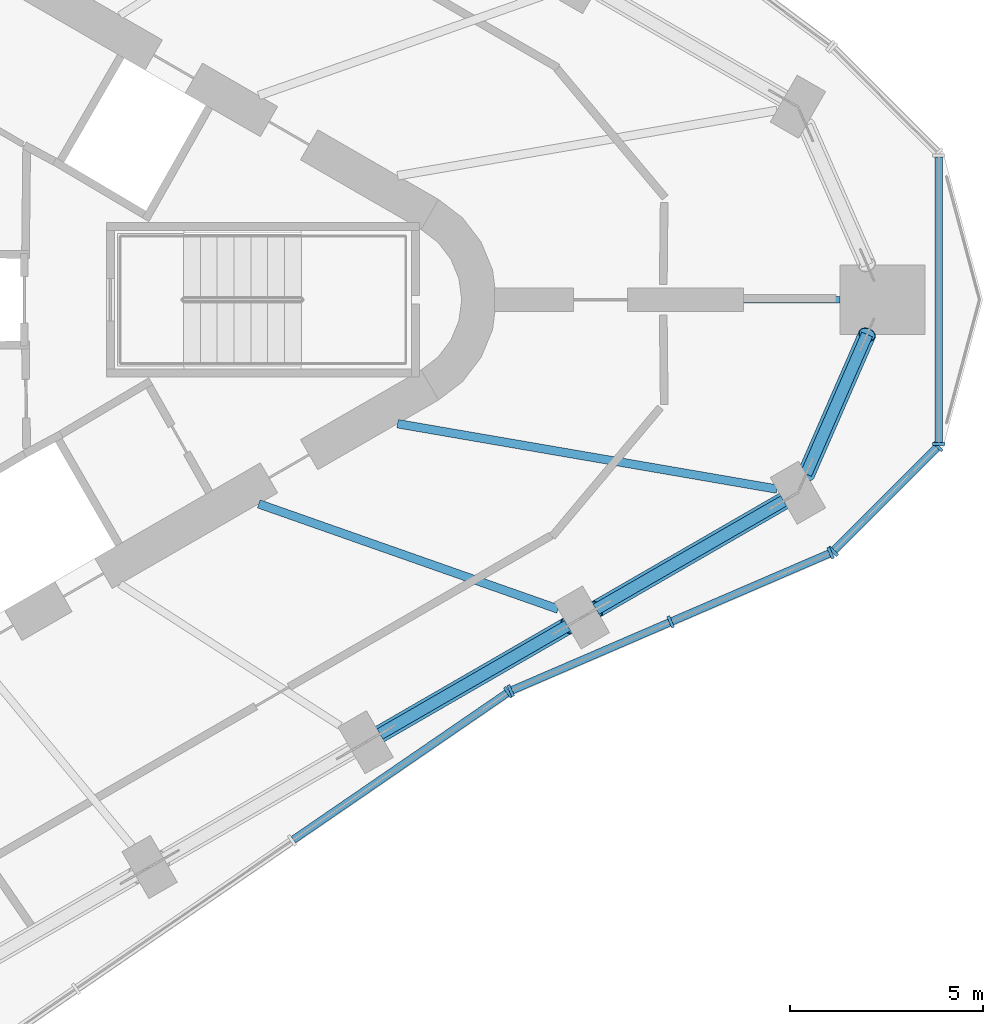
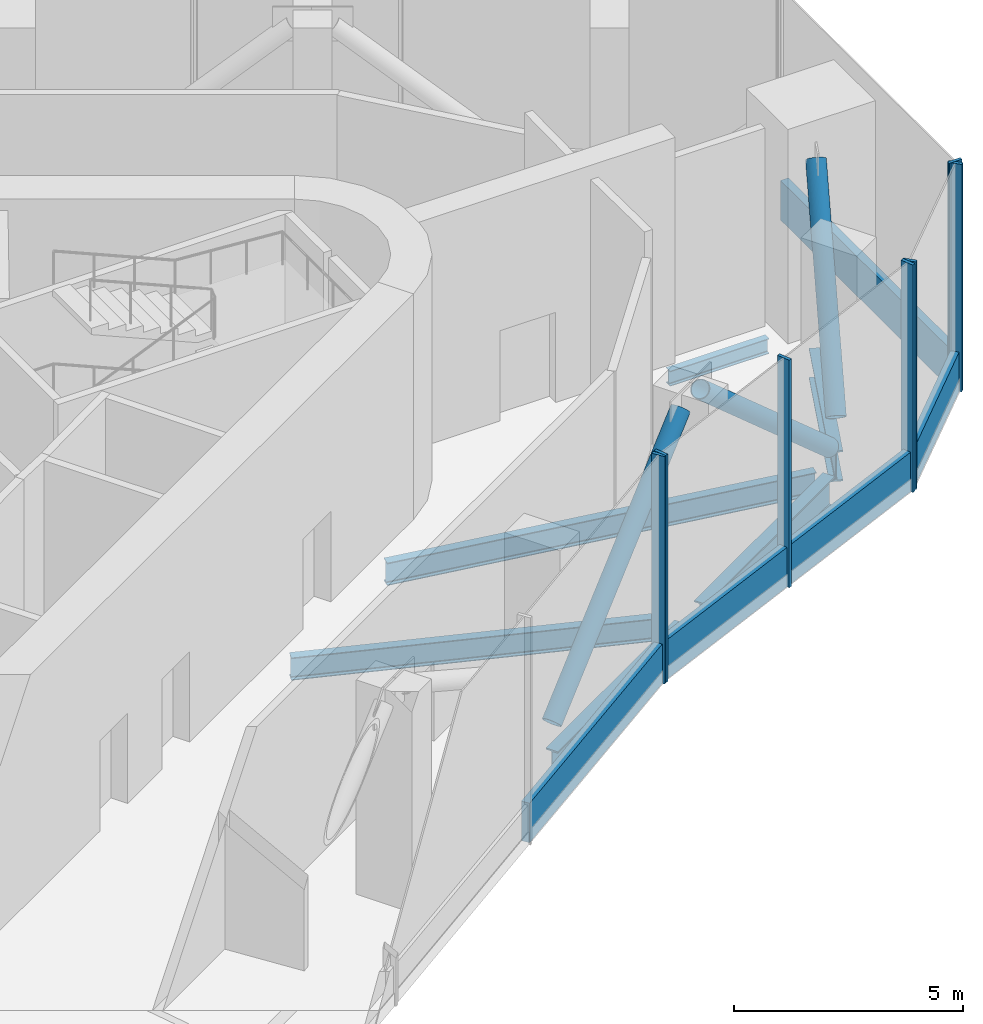
# One storey, part 3 of 15: 15 members, 6 beams, 4 elements without a shape of their own.
"""IFC4 building model written with IfcOpenShell, lengths in metres."""

import ifcopenshell
import ifcopenshell.guid

model = None  # the IFC model being written
_history = None  # IfcOwnerHistory: only IFC2X3 demands one
_inside = {}  # id of a spatial element -> (the spatial element, [elements in it])
_under = {}  # id of a project, library or spatial element -> (it, [spatial elements below it])
_declared = {}  # id of a project -> (the project, [libraries it declares])
_typed = {}  # id of a type object -> (the type object, [elements of that type])
_made_of = {}  # id of a material, layer set ... -> (it, [elements and type objects made of it])


def new_model(schema):
    """Start an empty IFC model of exactly this schema.

    Asked for "IFC4X3", IfcOpenShell would pick the latest addendum, in which some entities
    have other attributes; the version numbers below select the first issue.
    IFC2X3 requires an IfcOwnerHistory on every rooted entity: one is made here for all.
    """
    global model, _history
    if schema == "IFC4X3":
        model = ifcopenshell.file(schema_version=(4, 3, 0, 0))
    else:
        model = ifcopenshell.file(schema=schema)
    _inside.clear()
    _under.clear()
    _declared.clear()
    _typed.clear()
    _made_of.clear()
    _history = None
    if model.schema == "IFC2X3":
        org = make("IfcOrganization", Name="unknown")
        user = make(
            "IfcPersonAndOrganization",
            ThePerson=make("IfcPerson", FamilyName="unknown"),
            TheOrganization=org,
        )
        app = make(
            "IfcApplication",
            ApplicationDeveloper=org,
            Version="unknown",
            ApplicationFullName="unknown",
            ApplicationIdentifier="unknown",
        )
        _history = make(
            "IfcOwnerHistory",
            OwningUser=user,
            OwningApplication=app,
            ChangeAction="ADDED",
            CreationDate=0,
        )
    return model


def make(cls, **values):
    """One entity of the class cls with the attributes given. An attribute that is None is left unset."""
    return model.create_entity(
        cls, **{name: value for name, value in values.items() if value is not None}
    )


def rooted(cls, **values):
    """An entity with a GlobalId (a new one), such as an element, a storey or a relation."""
    return make(cls, GlobalId=ifcopenshell.guid.new(), OwnerHistory=_history, **values)


def si_unit(unit_type, name, prefix=None):
    """IfcSIUnit, for example si_unit("LENGTHUNIT", "METRE", prefix="MILLI")."""
    return make("IfcSIUnit", UnitType=unit_type, Prefix=prefix, Name=name)


def assignment(units):
    """IfcUnitAssignment: the units of a project."""
    return None if units is None else make("IfcUnitAssignment", Units=units)


def point(xyz):
    """IfcCartesianPoint."""
    return None if xyz is None else make("IfcCartesianPoint", Coordinates=xyz)


def direction(xyz):
    """IfcDirection."""
    return None if xyz is None else make("IfcDirection", DirectionRatios=xyz)


def frame(location, z_axis=None, x_axis=None):
    """IfcAxis2Placement3D, a coordinate frame: its origin and axes. An axis left out is left unset."""
    return make(
        "IfcAxis2Placement3D",
        Location=point(location),
        Axis=direction(z_axis),
        RefDirection=direction(x_axis),
    )


def frame_2d(location, x_axis=None):
    """IfcAxis2Placement2D, a coordinate frame in the plane: its origin and x axis."""
    return make(
        "IfcAxis2Placement2D", Location=point(location), RefDirection=direction(x_axis)
    )


def origin():
    """The frame at (0, 0, 0) with its axes left unset."""
    return frame((0.0, 0.0, 0.0))


def origin_2d():
    """The frame at (0, 0) in the plane with its x axis left unset."""
    return frame_2d((0.0, 0.0))


def place(relative_to, where):
    """IfcLocalPlacement: puts the frame where relative to a parent placement (None: the world)."""
    return make(
        "IfcLocalPlacement", PlacementRelTo=relative_to, RelativePlacement=where
    )


def context(
    kind, dimensions, precision=None, world=None, true_north=None, identifier=None
):
    """IfcGeometricRepresentationContext, for example the 3D "Model" context."""
    return make(
        "IfcGeometricRepresentationContext",
        ContextIdentifier=identifier,
        ContextType=kind,
        CoordinateSpaceDimension=dimensions,
        Precision=precision,
        WorldCoordinateSystem=world,
        TrueNorth=true_north,
    )


def subcontext(parent, identifier, kind, view, scale=None):
    """IfcGeometricRepresentationSubContext, for example "Body" below "Model"."""
    return make(
        "IfcGeometricRepresentationSubContext",
        ContextIdentifier=identifier,
        ContextType=kind,
        ParentContext=parent,
        TargetScale=scale,
        TargetView=view,
    )


def project(units=None, contexts=None):
    """IfcProject with its units and contexts."""
    return rooted(
        "IfcProject",
        Name="project",
        RepresentationContexts=contexts,
        UnitsInContext=assignment(units),
    )


def spatial(cls, under=None, at=None, **own):
    """A site, building, storey or space (cls), placed at a placement, below another one or the project."""
    s = rooted(cls, ObjectPlacement=at, **own)
    if under is not None:
        _under.setdefault(under.id(), (under, []))[1].append(s)
    return s


def profile(cls, at=None, kind="AREA", **sizes):
    """A parametric profile (cls). Its sizes go by their IFC names, for example OverallWidth=200.0."""
    return make(cls, ProfileType=kind, Position=at, **sizes)


def rectangle(**sizes):
    """IfcRectangleProfileDef."""
    return profile("IfcRectangleProfileDef", **sizes)


def hollow_circle(**sizes):
    """IfcCircleHollowProfileDef."""
    return profile("IfcCircleHollowProfileDef", **sizes)


def i_section(**sizes):
    """IfcIShapeProfileDef."""
    return profile("IfcIShapeProfileDef", **sizes)


def extrude(swept, where, along, depth):
    """IfcExtrudedAreaSolid: the profile swept, set in the frame where, extruded along a direction by depth."""
    return make(
        "IfcExtrudedAreaSolid",
        SweptArea=swept,
        Position=where,
        ExtrudedDirection=direction(along),
        Depth=depth,
    )


def shape(context_of_items, identifier, shape_type, items):
    """IfcShapeRepresentation: the items that make up one representation, for example the "Body"."""
    return make(
        "IfcShapeRepresentation",
        ContextOfItems=context_of_items,
        RepresentationIdentifier=identifier,
        RepresentationType=shape_type,
        Items=items,
    )


def material(Name=None, Category=None):
    """IfcMaterial."""
    return make("IfcMaterial", Name=Name, Category=Category)


def material_profile(
    of_material, cross_section, Name=None, Category=None, Priority=None
):
    """IfcMaterialProfile: a cross section and its material."""
    return make(
        "IfcMaterialProfile",
        Name=Name,
        Material=of_material,
        Profile=cross_section,
        Priority=Priority,
        Category=Category,
    )


def profile_set(profiles, Name=None, composite=None):
    """IfcMaterialProfileSet."""
    return make(
        "IfcMaterialProfileSet",
        Name=Name,
        MaterialProfiles=profiles,
        CompositeProfile=composite,
    )


def made_of(thing, what):
    """Note that an element or type object is made of a material, layer set ...; save() writes the relation."""
    if what is not None:
        _made_of.setdefault(what.id(), (what, []))[1].append(thing)
    return thing


def type_object(cls, material=None, **own):
    """A type object (cls), such as IfcWallType, which elements share."""
    return made_of(rooted(cls, **own), material)


def element(
    cls,
    number,
    at=None,
    inside=None,
    cuts=None,
    type_object=None,
    material=None,
    context=None,
    identifier="Body",
    shape_type=None,
    held_by="IfcProductDefinitionShape",
    body=None,
    shapes=None,
    **own,
):
    """One element of the class cls, such as IfcWall. Its Tag is "e" and its number.

    at: its placement. inside: the storey or other place that contains it. cuts: it is an
    opening in that element (IfcRelVoidsElement). A single representation is given by context,
    identifier, shape_type and body (its items); several are given by shapes. held_by: the class
    of the entity that holds the representations. save() writes the other relations.
    """
    e = rooted(cls, Tag="e%d" % number, ObjectPlacement=at, **own)
    if body is not None:
        shapes = [shape(context, identifier, shape_type, body)]
    if shapes is not None:
        e.Representation = make(held_by, Representations=shapes)
    if inside is not None:
        _inside.setdefault(inside.id(), (inside, []))[1].append(e)
    if cuts is not None:
        rooted(
            "IfcRelVoidsElement", RelatingBuildingElement=cuts, RelatedOpeningElement=e
        )
    if type_object is not None:
        _typed.setdefault(type_object.id(), (type_object, []))[1].append(e)
    return made_of(e, material)


def aggregate(whole, parts):
    """IfcRelAggregates: a whole, such as a stair, and the parts it consists of."""
    return rooted("IfcRelAggregates", RelatingObject=whole, RelatedObjects=parts)


def save(model, path):
    """Write the relations noted so far, then the file.

    IfcRelAggregates (storeys below a building ...), IfcRelContainedInSpatialStructure (elements
    in a storey), IfcRelDefinesByType, IfcRelAssociatesMaterial and IfcRelDeclares: one each for
    every whole, place, type object, material and project.
    """
    for whole, parts in _under.values():
        aggregate(whole, parts)
    for where, things in _inside.values():
        rooted(
            "IfcRelContainedInSpatialStructure",
            RelatedElements=things,
            RelatingStructure=where,
        )
    for kind, things in _typed.values():
        rooted("IfcRelDefinesByType", RelatedObjects=things, RelatingType=kind)
    for what, things in _made_of.values():
        rooted("IfcRelAssociatesMaterial", RelatedObjects=things, RelatingMaterial=what)
    for by, libraries in _declared.values():
        rooted("IfcRelDeclares", RelatingContext=by, RelatedDefinitions=libraries)
    model.write(path)


model = new_model("IFC4")

# Units and contexts
model_context = context("Model", 3, precision=1e-05, world=origin(), true_north=direction((0.0, 1.0)))
body_context = subcontext(model_context, "Body", "Model", "MODEL_VIEW")
ifc_project = project(units=[si_unit("LENGTHUNIT", "METRE"), si_unit("AREAUNIT", "SQUARE_METRE"), si_unit("VOLUMEUNIT", "CUBIC_METRE"), si_unit("PLANEANGLEUNIT", "RADIAN"), si_unit("MASSUNIT", "GRAM", prefix="KILO")], contexts=[model_context])

# Site, building, storey
site_placement = place(None, origin())
site = spatial("IfcSite", under=ifc_project, at=site_placement, CompositionType="ELEMENT")
building_placement = place(site_placement, origin())
building = spatial("IfcBuilding", under=site, at=building_placement, Name="Tanit Gate Tower", CompositionType="ELEMENT")
storey_placement = place(building_placement, frame((0.0, 0.0, 392.300048828125)))
storey = spatial("IfcBuildingStorey", under=building, at=storey_placement, Name="L90", CompositionType="ELEMENT", Elevation=392.300048828125)

# Beams
ifc_material_1 = material(Name="Steel S460", Category="steel")
ifc_material_profile_1 = material_profile(ifc_material_1, i_section(OverallWidth=0.302978515625, OverallDepth=0.81396484375, WebThickness=0.02099609375, FlangeThickness=0.0400390625, FilletRadius=0.030029296875, at=origin_2d()), Name="HEM 800")
ifc_profile_set_1 = profile_set([ifc_material_profile_1], Name="Steel S460")
beam_type_1 = type_object("IfcBeamType", Name="BELT TRUSS CHORD HEM 800 S460", PredefinedType="BEAM", material=ifc_profile_set_1)
for number, where, z_axis, x_axis, name in (
    (1, (18.181884765625, -11.250244140625, -0.757080078125), (0.866032056001, 0.499988477847, 0.0), (-0.499988477847, 0.866032056001, 0.0), "BELT TRUSS CHORD"),
    (2, (23.77978515625, -8.018310546875, -0.757080078125), (0.866032056001, 0.499988477847, 0.0), (-0.499988477847, 0.866032056001, 0.0), "BELT TRUSS CHORD"),
):
    element("IfcBeam", number, at=place(storey_placement, frame(where, z_axis=z_axis, x_axis=x_axis)), inside=storey, type_object=beam_type_1, Name=name, PredefinedType="BEAM", context=body_context, shape_type="SweptSolid", body=[
        extrude(i_section(OverallWidth=0.302978515625, OverallDepth=0.81396484375, WebThickness=0.02099609375, FlangeThickness=0.0400390625, FilletRadius=0.030029296875, at=origin_2d()), origin(), (0.0, 0.0, 1.0), 5.614013671875),
    ])
beam_1_placement = place(storey_placement, frame((29.22119140625, -4.51513671875, -0.757080078125), z_axis=(0.400637057258, 0.916236840752, 0.0), x_axis=(-0.916236840752, 0.400637057258, 0.0)))
element("IfcBeam", 3, at=beam_1_placement, inside=storey, type_object=beam_type_1, Name="BELT TRUSS CHORD", PredefinedType="BEAM", context=body_context, shape_type="SweptSolid", body=[
    extrude(i_section(OverallWidth=0.302978515625, OverallDepth=0.81396484375, WebThickness=0.02099609375, FlangeThickness=0.0400390625, FilletRadius=0.030029296875, at=origin_2d()), origin(), (0.0, 0.0, 1.0), 3.94580078125),
])

# Members
ifc_material_2 = material(Name="Steel S460", Category="steel")
ifc_material_profile_2 = material_profile(ifc_material_2, hollow_circle(Radius=0.228515625, WallThickness=0.02001953125, at=origin_2d()), Name="CHS 457x20")
ifc_profile_set_2 = profile_set([ifc_material_profile_2], Name="Steel S460")
member_type_1 = type_object("IfcMemberType", Name="BELT TRUSS DIAGONAL CHS 457x20 S460", PredefinedType="BRACE", material=ifc_profile_set_2)
for number, where, z_axis, x_axis, name in (
    (4, (18.181884765625, -11.250244140625, 0.374755859375), (0.649555840169, 0.375009716502, 0.661396192181), (-0.499988477847, 0.866032056001, 0.0), "BELT TRUSS DIAGONAL"),
    (5, (23.77978515625, -8.018310546875, 5.3251953125), (0.649555840169, 0.375009716502, -0.661396192181), (-0.499988477847, 0.866032056001, 0.0), "BELT TRUSS DIAGONAL"),
):
    element("IfcMember", number, at=place(storey_placement, frame(where, z_axis=z_axis, x_axis=x_axis)), inside=storey, type_object=member_type_1, Name=name, PredefinedType="BRACE", context=body_context, shape_type="SweptSolid", body=[
        extrude(hollow_circle(Radius=0.228515625, WallThickness=0.02001953125, at=origin_2d()), origin(), (0.0, 0.0, 1.0), 7.48486328125),
    ])
member_1_placement = place(storey_placement, frame((29.22119140625, -4.51513671875, 0.551513671875), z_axis=(0.277026873899, 0.633546555783, 0.722409075797), x_axis=(-0.916236840752, 0.400637057258, 0.0)))
element("IfcMember", 6, at=member_1_placement, inside=storey, type_object=member_type_1, Name="BELT TRUSS DIAGONAL", PredefinedType="BRACE", context=body_context, shape_type="SweptSolid", body=[
    extrude(hollow_circle(Radius=0.228515625, WallThickness=0.02001953125, at=origin_2d()), origin(), (0.0, 0.0, 1.0), 5.706298828125),
])

# Curtain wall, member
ifc_material_3 = material(Name="Aluminium bronze anodised and glass", Category="aluminium")
curtain_wall_type = type_object("IfcCurtainWallType", Name="Curtain wall sky lobby", PredefinedType="NOTDEFINED", material=ifc_material_3)
curtain_wall_1_placement = place(storey_placement, origin())
curtain_wall_1 = element("IfcCurtainWall", 7, at=curtain_wall_1_placement, inside=storey, type_object=curtain_wall_type, Name="Curtain wall L90 SE2", PredefinedType="NOTDEFINED")
ifc_material_4 = material(Name="Aluminium bronze anodised", Category="aluminium")
ifc_material_profile_3 = material_profile(ifc_material_4, rectangle(XDim=0.320068359375, YDim=0.080078125, at=origin_2d()), Name="80x320 bronze mullion")
ifc_profile_set_3 = profile_set([ifc_material_profile_3], Name="Aluminium bronze anodised")
member_type_2 = type_object("IfcMemberType", Name="Mullion 80x320 sky lobby", PredefinedType="MULLION", material=ifc_profile_set_3)
member_2_placement = place(storey_placement, frame((21.50146484375, -10.168212890625, -0.35009765625), z_axis=(0.0, 0.0, 1.0), x_axis=(-0.56589316429, 0.824478578624, 0.0)))
member_2 = element("IfcMember", 8, at=member_2_placement, type_object=member_type_2, Name="Mullion L90 SE2.5", PredefinedType="MULLION", context=body_context, shape_type="SweptSolid", body=[
    extrude(rectangle(XDim=0.320068359375, YDim=0.080078125, at=origin_2d()), origin(), (0.0, 0.0, 1.0), 6.050048828125),
])

# Curtain wall, members
curtain_wall_2_placement = place(storey_placement, origin())
curtain_wall_2 = element("IfcCurtainWall", 9, at=curtain_wall_2_placement, inside=storey, type_object=curtain_wall_type, Name="Curtain wall L90 SE3", PredefinedType="NOTDEFINED")
member_3_placement = place(storey_placement, frame((21.571044921875, -10.1298828125, -0.35009765625), z_axis=(0.0, 0.0, 1.0), x_axis=(-0.395871474525, 0.918305927051, 0.0)))
member_3 = element("IfcMember", 10, at=member_3_placement, type_object=member_type_2, Name="Mullion L90 SE3.1", PredefinedType="MULLION", context=body_context, shape_type="SweptSolid", body=[
    extrude(rectangle(XDim=0.320068359375, YDim=0.080078125, at=origin_2d()), origin(), (0.0, 0.0, 1.0), 6.050048828125),
])
member_4_placement = place(storey_placement, frame((25.712646484375, -8.344482421875, -0.35009765625), z_axis=(0.0, 0.0, 1.0), x_axis=(-0.395871474525, 0.918305927051, 0.0)))
member_4 = element("IfcMember", 11, at=member_4_placement, type_object=member_type_2, Name="Mullion L90 SE3.2", PredefinedType="MULLION", context=body_context, shape_type="SweptSolid", body=[
    extrude(rectangle(XDim=0.320068359375, YDim=0.080078125, at=origin_2d()), origin(), (0.0, 0.0, 1.0), 6.050048828125),
])
member_5_placement = place(storey_placement, frame((29.854248046875, -6.55908203125, -0.35009765625), z_axis=(0.0, 0.0, 1.0), x_axis=(-0.395871474525, 0.918305927051, 0.0)))
member_5 = element("IfcMember", 12, at=member_5_placement, type_object=member_type_2, Name="Mullion L90 SE3.3", PredefinedType="MULLION", context=body_context, shape_type="SweptSolid", body=[
    extrude(rectangle(XDim=0.320068359375, YDim=0.080078125, at=origin_2d()), origin(), (0.0, 0.0, 1.0), 6.050048828125),
])

curtain_wall_3_placement = place(storey_placement, origin())
curtain_wall_3 = element("IfcCurtainWall", 13, at=curtain_wall_3_placement, inside=storey, type_object=curtain_wall_type, Name="Curtain wall L90 E.arc1", PredefinedType="NOTDEFINED")
member_6_placement = place(storey_placement, frame((29.91943359375, -6.514892578125, -0.35009765625), z_axis=(0.0, 0.0, 1.0), x_axis=(-0.707106781187, 0.707106781187, 0.0)))
member_6 = element("IfcMember", 14, at=member_6_placement, type_object=member_type_2, Name="Mullion L90 E.arc1.1", PredefinedType="MULLION", context=body_context, shape_type="SweptSolid", body=[
    extrude(rectangle(XDim=0.320068359375, YDim=0.080078125, at=origin_2d()), origin(), (0.0, 0.0, 1.0), 6.050048828125),
])
member_7_placement = place(storey_placement, frame((32.632080078125, -3.80224609375, -0.35009765625), z_axis=(0.0, 0.0, 1.0), x_axis=(-0.707106781187, 0.707106781187, 0.0)))
member_7 = element("IfcMember", 15, at=member_7_placement, type_object=member_type_2, Name="Mullion L90 E.arc1.2", PredefinedType="MULLION", context=body_context, shape_type="SweptSolid", body=[
    extrude(rectangle(XDim=0.320068359375, YDim=0.080078125, at=origin_2d()), origin(), (0.0, 0.0, 1.0), 6.050048828125),
])

# Curtain wall, member
curtain_wall_4_placement = place(storey_placement, origin())
curtain_wall_4 = element("IfcCurtainWall", 16, at=curtain_wall_4_placement, inside=storey, type_object=curtain_wall_type, Name="Curtain wall L90 E.arc2", PredefinedType="NOTDEFINED")
member_8_placement = place(storey_placement, frame((32.66015625, -3.73388671875, -0.35009765625), z_axis=(0.0, 0.0, 1.0), x_axis=(-1.0, 0.0, 0.0)))
member_8 = element("IfcMember", 17, at=member_8_placement, type_object=member_type_2, Name="Mullion L90 E.arc2.1", PredefinedType="MULLION", context=body_context, shape_type="SweptSolid", body=[
    extrude(rectangle(XDim=0.320068359375, YDim=0.080078125, at=origin_2d()), origin(), (0.0, 0.0, 1.0), 6.050048828125),
])

# Beams
ifc_material_5 = material(Name="Steel S355", Category="steel")
ifc_material_profile_4 = material_profile(ifc_material_5, i_section(OverallWidth=0.179931640625, OverallDepth=0.39990234375, WebThickness=0.008544921875, FlangeThickness=0.013427734375, FilletRadius=0.02099609375, at=origin_2d()), Name="IPE 400")
ifc_profile_set_4 = profile_set([ifc_material_profile_4], Name="Steel S355")
beam_type_2 = type_object("IfcBeamType", Name="RADIAL GIRDER IPE 400 S355", PredefinedType="BEAM", material=ifc_profile_set_4)
beam_2_placement = place(storey_placement, frame((30.095703125, 0.0, -0.550048828125), z_axis=(-1.0, 0.0, 0.0), x_axis=(0.0, -1.0, 0.0)))
element("IfcBeam", 18, at=beam_2_placement, inside=storey, type_object=beam_type_2, Name="RADIAL GIRDER", PredefinedType="BEAM", context=body_context, shape_type="SweptSolid", body=[
    extrude(i_section(OverallWidth=0.179931640625, OverallDepth=0.39990234375, WebThickness=0.008544921875, FlangeThickness=0.013427734375, FilletRadius=0.02099609375, at=origin_2d()), origin(), (0.0, 0.0, 1.0), 2.49072265625),
])
ifc_material_6 = material(Name="Steel S355", Category="steel")
ifc_material_profile_5 = material_profile(ifc_material_6, i_section(OverallWidth=0.219970703125, OverallDepth=0.60009765625, WebThickness=0.011962890625, FlangeThickness=0.01904296875, FilletRadius=0.02392578125, at=origin_2d()), Name="IPE 600")
ifc_profile_set_5 = profile_set([ifc_material_profile_5], Name="Steel S355")
beam_type_3 = type_object("IfcBeamType", Name="RADIAL GIRDER IPE 600 S355", PredefinedType="BEAM", material=ifc_profile_set_5)
beam_3_placement = place(storey_placement, frame((22.7958984375, -8.014404296875, -0.650146484375), z_axis=(-0.943393322565, 0.331676105471, 0.0), x_axis=(-0.331676105471, -0.943393322565, 0.0)))
element("IfcBeam", 19, at=beam_3_placement, inside=storey, type_object=beam_type_3, Name="RADIAL GIRDER", PredefinedType="BEAM", context=body_context, shape_type="SweptSolid", body=[
    extrude(i_section(OverallWidth=0.219970703125, OverallDepth=0.60009765625, WebThickness=0.011962890625, FlangeThickness=0.01904296875, FilletRadius=0.02392578125, at=origin_2d()), origin(), (0.0, 0.0, 1.0), 8.217529296875),
])
beam_4_placement = place(storey_placement, frame((28.464599609375, -4.905029296875, -0.650146484375), z_axis=(-0.985476230571, 0.169813424025, 0.0), x_axis=(-0.169813424025, -0.985476230571, 0.0)))
element("IfcBeam", 20, at=beam_4_placement, inside=storey, type_object=beam_type_3, Name="RADIAL GIRDER", PredefinedType="BEAM", context=body_context, shape_type="SweptSolid", body=[
    extrude(i_section(OverallWidth=0.219970703125, OverallDepth=0.60009765625, WebThickness=0.011962890625, FlangeThickness=0.01904296875, FilletRadius=0.02392578125, at=origin_2d()), origin(), (0.0, 0.0, 1.0), 9.968994140625),
])

# Member
ifc_material_7 = material(Name="Aluminium bronze anodised", Category="aluminium")
ifc_material_profile_6 = material_profile(ifc_material_7, rectangle(XDim=0.199951171875, YDim=1.050048828125, at=origin_2d()), Name="200x1050 bronze transom")
ifc_profile_set_6 = profile_set([ifc_material_profile_6], Name="Aluminium bronze anodised")
member_type_3 = type_object("IfcMemberType", Name="Transom 200x1050 sky lobby", PredefinedType="USERDEFINED", material=ifc_profile_set_6)
member_9_placement = place(storey_placement, frame((15.93798828125, -13.98681640625, 0.175048828125), z_axis=(0.824482387079, 0.565887615517, 0.0), x_axis=(-0.565887615517, 0.824482387079, 0.0)))
member_9 = element("IfcMember", 21, at=member_9_placement, type_object=member_type_3, Name="Transom L90 SE2.4", ObjectType="TRANSOM", PredefinedType="USERDEFINED", context=body_context, shape_type="SweptSolid", body=[
    extrude(rectangle(XDim=0.199951171875, YDim=1.050048828125, at=origin_2d()), origin(), (0.0, 0.0, 1.0), 6.707763671875),
])

aggregate(curtain_wall_1, [member_2, member_9])

member_10_placement = place(storey_placement, frame((21.60791015625, -10.114013671875, 0.175048828125), z_axis=(0.918310615543, 0.395860598419, 0.0), x_axis=(-0.395860598419, 0.918310615543, 0.0)))
member_10 = element("IfcMember", 22, at=member_10_placement, type_object=member_type_3, Name="Transom L90 SE3.1", ObjectType="TRANSOM", PredefinedType="USERDEFINED", context=body_context, shape_type="SweptSolid", body=[
    extrude(rectangle(XDim=0.199951171875, YDim=1.050048828125, at=origin_2d()), origin(), (0.0, 0.0, 1.0), 4.429931640625),
])

member_11_placement = place(storey_placement, frame((25.74951171875, -8.32861328125, 0.175048828125), z_axis=(0.918310615543, 0.395860598419, 0.0), x_axis=(-0.395860598419, 0.918310615543, 0.0)))
member_11 = element("IfcMember", 23, at=member_11_placement, type_object=member_type_3, Name="Transom L90 SE3.2", ObjectType="TRANSOM", PredefinedType="USERDEFINED", context=body_context, shape_type="SweptSolid", body=[
    extrude(rectangle(XDim=0.199951171875, YDim=1.050048828125, at=origin_2d()), origin(), (0.0, 0.0, 1.0), 4.429931640625),
])

aggregate(curtain_wall_2, [member_3, member_4, member_5, member_10, member_11])

member_12_placement = place(storey_placement, frame((29.947509765625, -6.486572265625, 0.175048828125), z_axis=(0.707139277649, 0.70707428323, 0.0), x_axis=(-0.70707428323, 0.707139277649, 0.0)))
member_12 = element("IfcMember", 24, at=member_12_placement, type_object=member_type_3, Name="Transom L90 E.arc1.1", ObjectType="TRANSOM", PredefinedType="USERDEFINED", context=body_context, shape_type="SweptSolid", body=[
    extrude(rectangle(XDim=0.199951171875, YDim=1.050048828125, at=origin_2d()), origin(), (0.0, 0.0, 1.0), 3.75634765625),
])

aggregate(curtain_wall_3, [member_6, member_7, member_12])

member_13_placement = place(storey_placement, frame((32.66015625, -3.694091796875, 0.175048828125), z_axis=(0.0, 1.0, 0.0), x_axis=(-1.0, 0.0, 0.0)))
member_13 = element("IfcMember", 25, at=member_13_placement, type_object=member_type_3, Name="Transom L90 E.arc2.1", ObjectType="TRANSOM", PredefinedType="USERDEFINED", context=body_context, shape_type="SweptSolid", body=[
    extrude(rectangle(XDim=0.199951171875, YDim=1.050048828125, at=origin_2d()), origin(), (0.0, 0.0, 1.0), 7.38818359375),
])

aggregate(curtain_wall_4, [member_8, member_13])

save(model, "model.ifc")
